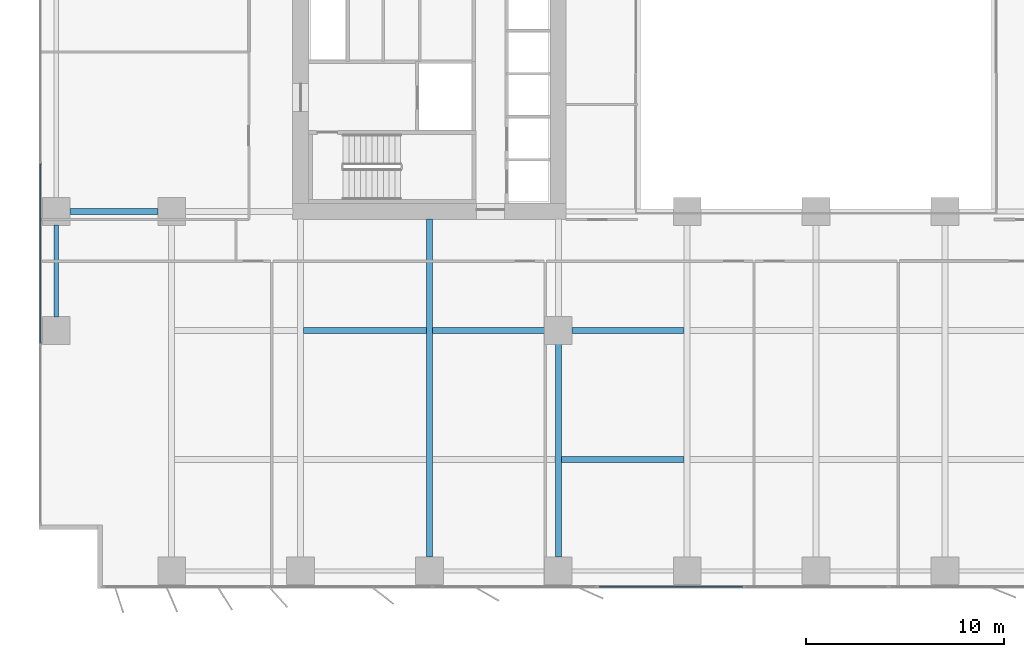
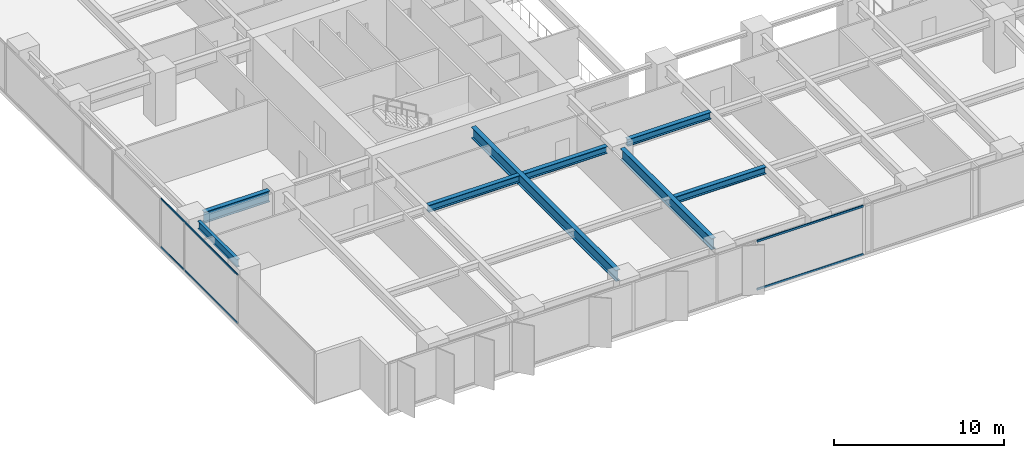
# One storey, part 3 of 20: 8 beams, 4 members, 2 elements without a shape of their own.
"""IFC4 building model written with IfcOpenShell, lengths in metres."""

import ifcopenshell
import ifcopenshell.guid

model = None  # the IFC model being written
_history = None  # IfcOwnerHistory: only IFC2X3 demands one
_inside = {}  # id of a spatial element -> (the spatial element, [elements in it])
_under = {}  # id of a project, library or spatial element -> (it, [spatial elements below it])
_declared = {}  # id of a project -> (the project, [libraries it declares])
_typed = {}  # id of a type object -> (the type object, [elements of that type])
_made_of = {}  # id of a material, layer set ... -> (it, [elements and type objects made of it])


def new_model(schema):
    """Start an empty IFC model of exactly this schema.

    Asked for "IFC4X3", IfcOpenShell would pick the latest addendum, in which some entities
    have other attributes; the version numbers below select the first issue.
    IFC2X3 requires an IfcOwnerHistory on every rooted entity: one is made here for all.
    """
    global model, _history
    if schema == "IFC4X3":
        model = ifcopenshell.file(schema_version=(4, 3, 0, 0))
    else:
        model = ifcopenshell.file(schema=schema)
    _inside.clear()
    _under.clear()
    _declared.clear()
    _typed.clear()
    _made_of.clear()
    _history = None
    if model.schema == "IFC2X3":
        org = make("IfcOrganization", Name="unknown")
        user = make(
            "IfcPersonAndOrganization",
            ThePerson=make("IfcPerson", FamilyName="unknown"),
            TheOrganization=org,
        )
        app = make(
            "IfcApplication",
            ApplicationDeveloper=org,
            Version="unknown",
            ApplicationFullName="unknown",
            ApplicationIdentifier="unknown",
        )
        _history = make(
            "IfcOwnerHistory",
            OwningUser=user,
            OwningApplication=app,
            ChangeAction="ADDED",
            CreationDate=0,
        )
    return model


def make(cls, **values):
    """One entity of the class cls with the attributes given. An attribute that is None is left unset."""
    return model.create_entity(
        cls, **{name: value for name, value in values.items() if value is not None}
    )


def rooted(cls, **values):
    """An entity with a GlobalId (a new one), such as an element, a storey or a relation."""
    return make(cls, GlobalId=ifcopenshell.guid.new(), OwnerHistory=_history, **values)


def si_unit(unit_type, name, prefix=None):
    """IfcSIUnit, for example si_unit("LENGTHUNIT", "METRE", prefix="MILLI")."""
    return make("IfcSIUnit", UnitType=unit_type, Prefix=prefix, Name=name)


def assignment(units):
    """IfcUnitAssignment: the units of a project."""
    return None if units is None else make("IfcUnitAssignment", Units=units)


def point(xyz):
    """IfcCartesianPoint."""
    return None if xyz is None else make("IfcCartesianPoint", Coordinates=xyz)


def direction(xyz):
    """IfcDirection."""
    return None if xyz is None else make("IfcDirection", DirectionRatios=xyz)


def frame(location, z_axis=None, x_axis=None):
    """IfcAxis2Placement3D, a coordinate frame: its origin and axes. An axis left out is left unset."""
    return make(
        "IfcAxis2Placement3D",
        Location=point(location),
        Axis=direction(z_axis),
        RefDirection=direction(x_axis),
    )


def frame_2d(location, x_axis=None):
    """IfcAxis2Placement2D, a coordinate frame in the plane: its origin and x axis."""
    return make(
        "IfcAxis2Placement2D", Location=point(location), RefDirection=direction(x_axis)
    )


def origin():
    """The frame at (0, 0, 0) with its axes left unset."""
    return frame((0.0, 0.0, 0.0))


def origin_2d():
    """The frame at (0, 0) in the plane with its x axis left unset."""
    return frame_2d((0.0, 0.0))


def place(relative_to, where):
    """IfcLocalPlacement: puts the frame where relative to a parent placement (None: the world)."""
    return make(
        "IfcLocalPlacement", PlacementRelTo=relative_to, RelativePlacement=where
    )


def context(
    kind, dimensions, precision=None, world=None, true_north=None, identifier=None
):
    """IfcGeometricRepresentationContext, for example the 3D "Model" context."""
    return make(
        "IfcGeometricRepresentationContext",
        ContextIdentifier=identifier,
        ContextType=kind,
        CoordinateSpaceDimension=dimensions,
        Precision=precision,
        WorldCoordinateSystem=world,
        TrueNorth=true_north,
    )


def subcontext(parent, identifier, kind, view, scale=None):
    """IfcGeometricRepresentationSubContext, for example "Body" below "Model"."""
    return make(
        "IfcGeometricRepresentationSubContext",
        ContextIdentifier=identifier,
        ContextType=kind,
        ParentContext=parent,
        TargetScale=scale,
        TargetView=view,
    )


def project(units=None, contexts=None):
    """IfcProject with its units and contexts."""
    return rooted(
        "IfcProject",
        Name="project",
        RepresentationContexts=contexts,
        UnitsInContext=assignment(units),
    )


def spatial(cls, under=None, at=None, **own):
    """A site, building, storey or space (cls), placed at a placement, below another one or the project."""
    s = rooted(cls, ObjectPlacement=at, **own)
    if under is not None:
        _under.setdefault(under.id(), (under, []))[1].append(s)
    return s


def profile(cls, at=None, kind="AREA", **sizes):
    """A parametric profile (cls). Its sizes go by their IFC names, for example OverallWidth=200.0."""
    return make(cls, ProfileType=kind, Position=at, **sizes)


def rectangle(**sizes):
    """IfcRectangleProfileDef."""
    return profile("IfcRectangleProfileDef", **sizes)


def i_section(**sizes):
    """IfcIShapeProfileDef."""
    return profile("IfcIShapeProfileDef", **sizes)


def extrude(swept, where, along, depth):
    """IfcExtrudedAreaSolid: the profile swept, set in the frame where, extruded along a direction by depth."""
    return make(
        "IfcExtrudedAreaSolid",
        SweptArea=swept,
        Position=where,
        ExtrudedDirection=direction(along),
        Depth=depth,
    )


def shape(context_of_items, identifier, shape_type, items):
    """IfcShapeRepresentation: the items that make up one representation, for example the "Body"."""
    return make(
        "IfcShapeRepresentation",
        ContextOfItems=context_of_items,
        RepresentationIdentifier=identifier,
        RepresentationType=shape_type,
        Items=items,
    )


def material(Name=None, Category=None):
    """IfcMaterial."""
    return make("IfcMaterial", Name=Name, Category=Category)


def layer(
    of_material, thickness, ventilated=None, Name=None, Category=None, Priority=None
):
    """IfcMaterialLayer: one layer of a wall or slab, of a material (None: an air gap)."""
    return make(
        "IfcMaterialLayer",
        Material=of_material,
        LayerThickness=thickness,
        IsVentilated=ventilated,
        Name=Name,
        Category=Category,
        Priority=Priority,
    )


def layer_set(layers, Name=None):
    """IfcMaterialLayerSet."""
    return make("IfcMaterialLayerSet", MaterialLayers=layers, LayerSetName=Name)


def material_profile(
    of_material, cross_section, Name=None, Category=None, Priority=None
):
    """IfcMaterialProfile: a cross section and its material."""
    return make(
        "IfcMaterialProfile",
        Name=Name,
        Material=of_material,
        Profile=cross_section,
        Priority=Priority,
        Category=Category,
    )


def profile_set(profiles, Name=None, composite=None):
    """IfcMaterialProfileSet."""
    return make(
        "IfcMaterialProfileSet",
        Name=Name,
        MaterialProfiles=profiles,
        CompositeProfile=composite,
    )


def made_of(thing, what):
    """Note that an element or type object is made of a material, layer set ...; save() writes the relation."""
    if what is not None:
        _made_of.setdefault(what.id(), (what, []))[1].append(thing)
    return thing


def type_object(cls, material=None, **own):
    """A type object (cls), such as IfcWallType, which elements share."""
    return made_of(rooted(cls, **own), material)


def element(
    cls,
    number,
    at=None,
    inside=None,
    cuts=None,
    type_object=None,
    material=None,
    context=None,
    identifier="Body",
    shape_type=None,
    held_by="IfcProductDefinitionShape",
    body=None,
    shapes=None,
    **own,
):
    """One element of the class cls, such as IfcWall. Its Tag is "e" and its number.

    at: its placement. inside: the storey or other place that contains it. cuts: it is an
    opening in that element (IfcRelVoidsElement). A single representation is given by context,
    identifier, shape_type and body (its items); several are given by shapes. held_by: the class
    of the entity that holds the representations. save() writes the other relations.
    """
    e = rooted(cls, Tag="e%d" % number, ObjectPlacement=at, **own)
    if body is not None:
        shapes = [shape(context, identifier, shape_type, body)]
    if shapes is not None:
        e.Representation = make(held_by, Representations=shapes)
    if inside is not None:
        _inside.setdefault(inside.id(), (inside, []))[1].append(e)
    if cuts is not None:
        rooted(
            "IfcRelVoidsElement", RelatingBuildingElement=cuts, RelatedOpeningElement=e
        )
    if type_object is not None:
        _typed.setdefault(type_object.id(), (type_object, []))[1].append(e)
    return made_of(e, material)


def aggregate(whole, parts):
    """IfcRelAggregates: a whole, such as a stair, and the parts it consists of."""
    return rooted("IfcRelAggregates", RelatingObject=whole, RelatedObjects=parts)


def save(model, path):
    """Write the relations noted so far, then the file.

    IfcRelAggregates (storeys below a building ...), IfcRelContainedInSpatialStructure (elements
    in a storey), IfcRelDefinesByType, IfcRelAssociatesMaterial and IfcRelDeclares: one each for
    every whole, place, type object, material and project.
    """
    for whole, parts in _under.values():
        aggregate(whole, parts)
    for where, things in _inside.values():
        rooted(
            "IfcRelContainedInSpatialStructure",
            RelatedElements=things,
            RelatingStructure=where,
        )
    for kind, things in _typed.values():
        rooted("IfcRelDefinesByType", RelatedObjects=things, RelatingType=kind)
    for what, things in _made_of.values():
        rooted("IfcRelAssociatesMaterial", RelatedObjects=things, RelatingMaterial=what)
    for by, libraries in _declared.values():
        rooted("IfcRelDeclares", RelatingContext=by, RelatedDefinitions=libraries)
    model.write(path)


model = new_model("IFC4")

# Units and contexts
model_context = context("Model", 3, precision=1e-05, world=origin(), true_north=direction((0.0, 1.0)))
body_context = subcontext(model_context, "Body", "Model", "MODEL_VIEW")
ifc_project = project(units=[si_unit("LENGTHUNIT", "METRE"), si_unit("AREAUNIT", "SQUARE_METRE"), si_unit("VOLUMEUNIT", "CUBIC_METRE"), si_unit("PLANEANGLEUNIT", "RADIAN"), si_unit("MASSUNIT", "GRAM", prefix="KILO")], contexts=[model_context])

# Site, building, storey
site_placement = place(None, origin())
site = spatial("IfcSite", under=ifc_project, at=site_placement, CompositionType="ELEMENT")
building_placement = place(site_placement, origin())
building = spatial("IfcBuilding", under=site, at=building_placement, Name="Putna Gate Headquarters", CompositionType="ELEMENT")
storey_placement = place(building_placement, frame((0.0, 0.0, 77.199951171875)))
storey = spatial("IfcBuildingStorey", under=building, at=storey_placement, Name="L18", CompositionType="ELEMENT", Elevation=77.199951171875)

# Beams
ifc_material_1 = material(Name="Steel S355J2", Category="steel")
ifc_material_profile_1 = material_profile(ifc_material_1, i_section(OverallWidth=0.300048828125, OverallDepth=0.800048828125, WebThickness=0.017578125, FlangeThickness=0.032958984375, at=origin_2d()), Name="Steel S355J2")
ifc_profile_set_1 = profile_set([ifc_material_profile_1], Name="Steel S355J2")
beam_type_1 = type_object("IfcBeamType", Name="BM-GIRD-P-HEB800", PredefinedType="USERDEFINED", material=ifc_profile_set_1)
beam_1_placement = place(storey_placement, frame((1.367919921875, 19.0, 3.1201171875), z_axis=(1.0, 0.0, 0.0), x_axis=(0.0, 1.0, 0.0)))
element("IfcBeam", 1, at=beam_1_placement, inside=storey, type_object=beam_type_1, Name="L18 West Wing Girder Y19-1", ObjectType="GIRDER", PredefinedType="USERDEFINED", context=body_context, shape_type="SweptSolid", body=[
    extrude(i_section(OverallWidth=0.300048828125, OverallDepth=0.800048828125, WebThickness=0.017578125, FlangeThickness=0.032958984375, at=origin_2d()), origin(), (0.0, 0.0, 1.0), 4.444091796875),
])
beam_2_placement = place(storey_placement, frame((19.5, 1.568115234375, 3.1201171875), z_axis=(0.0, 1.0, 0.0), x_axis=(-1.0, 0.0, 0.0)))
element("IfcBeam", 2, at=beam_2_placement, inside=storey, type_object=beam_type_1, Name="L18 South Primary Girder X19", ObjectType="GIRDER", PredefinedType="USERDEFINED", context=body_context, shape_type="SweptSolid", body=[
    extrude(i_section(OverallWidth=0.300048828125, OverallDepth=0.800048828125, WebThickness=0.017578125, FlangeThickness=0.032958984375, at=origin_2d()), origin(), (0.0, 0.0, 1.0), 17.046875),
])
beam_3_placement = place(storey_placement, frame((26.0, 1.568115234375, 3.1201171875), z_axis=(0.0, 1.0, 0.0), x_axis=(-1.0, 0.0, 0.0)))
element("IfcBeam", 3, at=beam_3_placement, inside=storey, type_object=beam_type_1, Name="L18 South Primary Girder X26-1", ObjectType="GIRDER", PredefinedType="USERDEFINED", context=body_context, shape_type="SweptSolid", body=[
    extrude(i_section(OverallWidth=0.300048828125, OverallDepth=0.800048828125, WebThickness=0.017578125, FlangeThickness=0.032958984375, at=origin_2d()), origin(), (0.0, 0.0, 1.0), 10.743896484375),
])
ifc_material_profile_2 = material_profile(ifc_material_1, i_section(OverallWidth=0.300048828125, OverallDepth=0.5, WebThickness=0.014404296875, FlangeThickness=0.028076171875, at=origin_2d()), Name="Steel S355J2")
ifc_profile_set_2 = profile_set([ifc_material_profile_2], Name="Steel S355J2")
beam_type_2 = type_object("IfcBeamType", Name="BM-GIRD-Z4-HEB500", PredefinedType="USERDEFINED", material=ifc_profile_set_2)
beam_4_placement = place(storey_placement, frame((13.154052734375, 13.0, 3.27001953125), z_axis=(1.0, 0.0, 0.0), x_axis=(0.0, 1.0, 0.0)))
element("IfcBeam", 4, at=beam_4_placement, inside=storey, type_object=beam_type_2, Name="L18 South Secondary Beam 2", ObjectType="GIRDER", PredefinedType="USERDEFINED", context=body_context, shape_type="SweptSolid", body=[
    extrude(i_section(OverallWidth=0.300048828125, OverallDepth=0.5, WebThickness=0.014404296875, FlangeThickness=0.028076171875, at=origin_2d()), origin(), (0.0, 0.0, 1.0), 6.19189453125),
])
beam_5_placement = place(storey_placement, frame((19.654052734375, 13.0, 3.27001953125), z_axis=(1.0, 0.0, 0.0), x_axis=(0.0, 1.0, 0.0)))
element("IfcBeam", 5, at=beam_5_placement, inside=storey, type_object=beam_type_2, Name="L18 South Secondary Beam 3", ObjectType="GIRDER", PredefinedType="USERDEFINED", context=body_context, shape_type="SweptSolid", body=[
    extrude(i_section(OverallWidth=0.300048828125, OverallDepth=0.5, WebThickness=0.014404296875, FlangeThickness=0.028076171875, at=origin_2d()), origin(), (0.0, 0.0, 1.0), 5.657958984375),
])
beam_6_placement = place(storey_placement, frame((26.154052734375, 6.5, 3.27001953125), z_axis=(1.0, 0.0, 0.0), x_axis=(0.0, 1.0, 0.0)))
element("IfcBeam", 6, at=beam_6_placement, inside=storey, type_object=beam_type_2, Name="L18 South Secondary Beam 4", ObjectType="GIRDER", PredefinedType="USERDEFINED", context=body_context, shape_type="SweptSolid", body=[
    extrude(i_section(OverallWidth=0.300048828125, OverallDepth=0.5, WebThickness=0.014404296875, FlangeThickness=0.028076171875, at=origin_2d()), origin(), (0.0, 0.0, 1.0), 6.19189453125),
])
beam_7_placement = place(storey_placement, frame((26.68798828125, 13.0, 3.27001953125), z_axis=(1.0, 0.0, 0.0), x_axis=(0.0, 1.0, 0.0)))
element("IfcBeam", 7, at=beam_7_placement, inside=storey, type_object=beam_type_2, Name="L18 South Secondary Beam 4", ObjectType="GIRDER", PredefinedType="USERDEFINED", context=body_context, shape_type="SweptSolid", body=[
    extrude(i_section(OverallWidth=0.300048828125, OverallDepth=0.5, WebThickness=0.014404296875, FlangeThickness=0.028076171875, at=origin_2d()), origin(), (0.0, 0.0, 1.0), 5.657958984375),
])
ifc_material_profile_3 = material_profile(ifc_material_1, i_section(OverallWidth=0.2099609375, OverallDepth=0.550048828125, WebThickness=0.010986328125, FlangeThickness=0.01708984375, at=origin_2d()), Name="Steel S355J2")
ifc_profile_set_3 = profile_set([ifc_material_profile_3], Name="Steel S355J2")
beam_type_3 = type_object("IfcBeamType", Name="BM-SPAN-Z1-IPE550", PredefinedType="SPANDREL", material=ifc_profile_set_3)
beam_8_placement = place(storey_placement, frame((0.679931640625, 13.68798828125, 3.2451171875), z_axis=(0.0, 1.0, 0.0), x_axis=(-1.0, 0.0, 0.0)))
element("IfcBeam", 8, at=beam_8_placement, inside=storey, type_object=beam_type_3, Name="L18 W End Spandrel 1", PredefinedType="SPANDREL", context=body_context, shape_type="SweptSolid", body=[
    extrude(i_section(OverallWidth=0.2099609375, OverallDepth=0.550048828125, WebThickness=0.010986328125, FlangeThickness=0.01708984375, at=origin_2d()), origin(), (0.0, 0.0, 1.0), 4.6240234375),
])

# Curtain wall, members
ifc_material_2 = material(Name="Anodised bronze aluminium curtain wall", Category="aluminium")
ifc_layer_1 = layer(ifc_material_2, 0.179931640625)
ifc_layer_set_1 = layer_set([ifc_layer_1], Name="Anodised bronze aluminium curtain wall")
curtain_wall_type_1 = type_object("IfcCurtainWallType", Name="CW-SYS-Z1", PredefinedType="USERDEFINED", material=ifc_layer_set_1)
curtain_wall_1_placement = place(storey_placement, origin())
curtain_wall_1 = element("IfcCurtainWall", 9, at=curtain_wall_1_placement, inside=storey, type_object=curtain_wall_type_1, Name="L18 West Curtain Wall", ObjectType="STICK CURTAIN WALL", PredefinedType="USERDEFINED")
ifc_material_3 = material(Name="Anodised bronze aluminium EN AW-6060", Category="aluminium")
ifc_material_profile_4 = material_profile(ifc_material_3, rectangle(XDim=0.06494140625, YDim=0.1201171875, at=origin_2d()), Name="Anodised bronze aluminium EN AW-6060")
ifc_profile_set_4 = profile_set([ifc_material_profile_4], Name="Anodised bronze aluminium EN AW-6060")
member_type_1 = type_object("IfcMemberType", Name="TRAN-CWT-1", PredefinedType="USERDEFINED", material=ifc_profile_set_4)
member_1_placement = place(storey_placement, frame((-0.1201171875, 12.35498046875, 0.032470703125), z_axis=(0.0, 1.0, 0.0), x_axis=(-1.0, 0.0, 0.0)))
member_1 = element("IfcMember", 10, at=member_1_placement, type_object=member_type_1, Name="CWS-1 transom 2.1", ObjectType="TRANSOM", PredefinedType="USERDEFINED", context=body_context, shape_type="SweptSolid", body=[
    extrude(rectangle(XDim=0.06494140625, YDim=0.1201171875, at=origin_2d()), origin(), (0.0, 0.0, 1.0), 9.050048828125),
])
member_2_placement = place(storey_placement, frame((-0.1201171875, 12.35498046875, 3.487548828125), z_axis=(0.0, 1.0, 0.0), x_axis=(-1.0, 0.0, 0.0)))
member_2 = element("IfcMember", 11, at=member_2_placement, type_object=member_type_1, Name="CWS-1 transom 2.2", ObjectType="TRANSOM", PredefinedType="USERDEFINED", context=body_context, shape_type="SweptSolid", body=[
    extrude(rectangle(XDim=0.06494140625, YDim=0.1201171875, at=origin_2d()), origin(), (0.0, 0.0, 1.0), 9.050048828125),
])
aggregate(curtain_wall_1, [member_1, member_2])

ifc_layer_2 = layer(ifc_material_2, 0.179931640625)
ifc_layer_set_2 = layer_set([ifc_layer_2], Name="Anodised bronze aluminium curtain wall")
curtain_wall_type_2 = type_object("IfcCurtainWallType", Name="CW-SYS-ATR", PredefinedType="USERDEFINED", material=ifc_layer_set_2)
curtain_wall_2_placement = place(storey_placement, origin())
curtain_wall_2 = element("IfcCurtainWall", 12, at=curtain_wall_2_placement, inside=storey, type_object=curtain_wall_type_2, Name="L18 South Atrium Clear Glazing", ObjectType="ATRIUM GLAZING", PredefinedType="USERDEFINED")
ifc_material_profile_5 = material_profile(ifc_material_3, rectangle(XDim=0.070068359375, YDim=0.139892578125, at=origin_2d()), Name="Anodised bronze aluminium EN AW-6060")
ifc_profile_set_5 = profile_set([ifc_material_profile_5], Name="Anodised bronze aluminium EN AW-6060")
member_type_2 = type_object("IfcMemberType", Name="TRAN-CWT-AT", PredefinedType="USERDEFINED", material=ifc_profile_set_5)
member_3_placement = place(storey_placement, frame((28.070068359375, 0.080078125, 0.03515625), z_axis=(1.0, 0.0, 0.0), x_axis=(0.0, 1.0, 0.0)))
member_3 = element("IfcMember", 13, at=member_3_placement, type_object=member_type_2, Name="CWS-AT transom 1.1", ObjectType="TRANSOM", PredefinedType="USERDEFINED", context=body_context, shape_type="SweptSolid", body=[
    extrude(rectangle(XDim=0.070068359375, YDim=0.139892578125, at=origin_2d()), origin(), (0.0, 0.0, 1.0), 7.228271484375),
])
member_4_placement = place(storey_placement, frame((28.070068359375, 0.080078125, 3.485107421875), z_axis=(1.0, 0.0, 0.0), x_axis=(0.0, 1.0, 0.0)))
member_4 = element("IfcMember", 14, at=member_4_placement, type_object=member_type_2, Name="CWS-AT transom 1.2", ObjectType="TRANSOM", PredefinedType="USERDEFINED", context=body_context, shape_type="SweptSolid", body=[
    extrude(rectangle(XDim=0.070068359375, YDim=0.139892578125, at=origin_2d()), origin(), (0.0, 0.0, 1.0), 7.228271484375),
])
aggregate(curtain_wall_2, [member_3, member_4])

save(model, "model.ifc")
